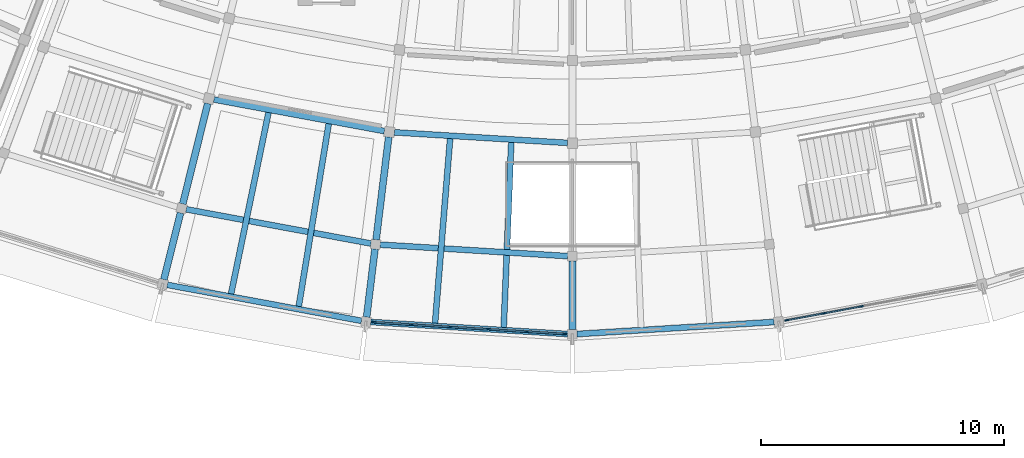
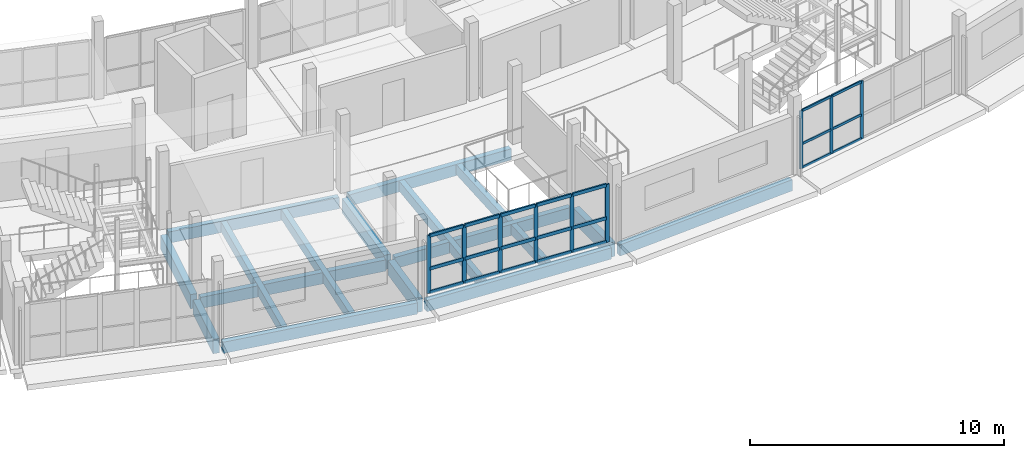
# One storey, part 21 of 66: 30 members, 16 beams, 2 elements without a shape of their own.
"""IFC4 building model written with IfcOpenShell, lengths in metres."""

import ifcopenshell
import ifcopenshell.guid

model = None  # the IFC model being written
_history = None  # IfcOwnerHistory: only IFC2X3 demands one
_inside = {}  # id of a spatial element -> (the spatial element, [elements in it])
_under = {}  # id of a project, library or spatial element -> (it, [spatial elements below it])
_declared = {}  # id of a project -> (the project, [libraries it declares])
_typed = {}  # id of a type object -> (the type object, [elements of that type])
_made_of = {}  # id of a material, layer set ... -> (it, [elements and type objects made of it])


def new_model(schema):
    """Start an empty IFC model of exactly this schema.

    Asked for "IFC4X3", IfcOpenShell would pick the latest addendum, in which some entities
    have other attributes; the version numbers below select the first issue.
    IFC2X3 requires an IfcOwnerHistory on every rooted entity: one is made here for all.
    """
    global model, _history
    if schema == "IFC4X3":
        model = ifcopenshell.file(schema_version=(4, 3, 0, 0))
    else:
        model = ifcopenshell.file(schema=schema)
    _inside.clear()
    _under.clear()
    _declared.clear()
    _typed.clear()
    _made_of.clear()
    _history = None
    if model.schema == "IFC2X3":
        org = make("IfcOrganization", Name="unknown")
        user = make(
            "IfcPersonAndOrganization",
            ThePerson=make("IfcPerson", FamilyName="unknown"),
            TheOrganization=org,
        )
        app = make(
            "IfcApplication",
            ApplicationDeveloper=org,
            Version="unknown",
            ApplicationFullName="unknown",
            ApplicationIdentifier="unknown",
        )
        _history = make(
            "IfcOwnerHistory",
            OwningUser=user,
            OwningApplication=app,
            ChangeAction="ADDED",
            CreationDate=0,
        )
    return model


def make(cls, **values):
    """One entity of the class cls with the attributes given. An attribute that is None is left unset."""
    return model.create_entity(
        cls, **{name: value for name, value in values.items() if value is not None}
    )


def rooted(cls, **values):
    """An entity with a GlobalId (a new one), such as an element, a storey or a relation."""
    return make(cls, GlobalId=ifcopenshell.guid.new(), OwnerHistory=_history, **values)


def si_unit(unit_type, name, prefix=None):
    """IfcSIUnit, for example si_unit("LENGTHUNIT", "METRE", prefix="MILLI")."""
    return make("IfcSIUnit", UnitType=unit_type, Prefix=prefix, Name=name)


def assignment(units):
    """IfcUnitAssignment: the units of a project."""
    return None if units is None else make("IfcUnitAssignment", Units=units)


def point(xyz):
    """IfcCartesianPoint."""
    return None if xyz is None else make("IfcCartesianPoint", Coordinates=xyz)


def direction(xyz):
    """IfcDirection."""
    return None if xyz is None else make("IfcDirection", DirectionRatios=xyz)


def frame(location, z_axis=None, x_axis=None):
    """IfcAxis2Placement3D, a coordinate frame: its origin and axes. An axis left out is left unset."""
    return make(
        "IfcAxis2Placement3D",
        Location=point(location),
        Axis=direction(z_axis),
        RefDirection=direction(x_axis),
    )


def frame_2d(location, x_axis=None):
    """IfcAxis2Placement2D, a coordinate frame in the plane: its origin and x axis."""
    return make(
        "IfcAxis2Placement2D", Location=point(location), RefDirection=direction(x_axis)
    )


def origin():
    """The frame at (0, 0, 0) with its axes left unset."""
    return frame((0.0, 0.0, 0.0))


def origin_2d():
    """The frame at (0, 0) in the plane with its x axis left unset."""
    return frame_2d((0.0, 0.0))


def place(relative_to, where):
    """IfcLocalPlacement: puts the frame where relative to a parent placement (None: the world)."""
    return make(
        "IfcLocalPlacement", PlacementRelTo=relative_to, RelativePlacement=where
    )


def context(
    kind, dimensions, precision=None, world=None, true_north=None, identifier=None
):
    """IfcGeometricRepresentationContext, for example the 3D "Model" context."""
    return make(
        "IfcGeometricRepresentationContext",
        ContextIdentifier=identifier,
        ContextType=kind,
        CoordinateSpaceDimension=dimensions,
        Precision=precision,
        WorldCoordinateSystem=world,
        TrueNorth=true_north,
    )


def subcontext(parent, identifier, kind, view, scale=None):
    """IfcGeometricRepresentationSubContext, for example "Body" below "Model"."""
    return make(
        "IfcGeometricRepresentationSubContext",
        ContextIdentifier=identifier,
        ContextType=kind,
        ParentContext=parent,
        TargetScale=scale,
        TargetView=view,
    )


def project(units=None, contexts=None):
    """IfcProject with its units and contexts."""
    return rooted(
        "IfcProject",
        Name="project",
        RepresentationContexts=contexts,
        UnitsInContext=assignment(units),
    )


def spatial(cls, under=None, at=None, **own):
    """A site, building, storey or space (cls), placed at a placement, below another one or the project."""
    s = rooted(cls, ObjectPlacement=at, **own)
    if under is not None:
        _under.setdefault(under.id(), (under, []))[1].append(s)
    return s


def profile(cls, at=None, kind="AREA", **sizes):
    """A parametric profile (cls). Its sizes go by their IFC names, for example OverallWidth=200.0."""
    return make(cls, ProfileType=kind, Position=at, **sizes)


def rectangle(**sizes):
    """IfcRectangleProfileDef."""
    return profile("IfcRectangleProfileDef", **sizes)


def extrude(swept, where, along, depth):
    """IfcExtrudedAreaSolid: the profile swept, set in the frame where, extruded along a direction by depth."""
    return make(
        "IfcExtrudedAreaSolid",
        SweptArea=swept,
        Position=where,
        ExtrudedDirection=direction(along),
        Depth=depth,
    )


def shape(context_of_items, identifier, shape_type, items):
    """IfcShapeRepresentation: the items that make up one representation, for example the "Body"."""
    return make(
        "IfcShapeRepresentation",
        ContextOfItems=context_of_items,
        RepresentationIdentifier=identifier,
        RepresentationType=shape_type,
        Items=items,
    )


def material(Name=None, Category=None):
    """IfcMaterial."""
    return make("IfcMaterial", Name=Name, Category=Category)


def layer(
    of_material, thickness, ventilated=None, Name=None, Category=None, Priority=None
):
    """IfcMaterialLayer: one layer of a wall or slab, of a material (None: an air gap)."""
    return make(
        "IfcMaterialLayer",
        Material=of_material,
        LayerThickness=thickness,
        IsVentilated=ventilated,
        Name=Name,
        Category=Category,
        Priority=Priority,
    )


def layer_set(layers, Name=None):
    """IfcMaterialLayerSet."""
    return make("IfcMaterialLayerSet", MaterialLayers=layers, LayerSetName=Name)


def material_profile(
    of_material, cross_section, Name=None, Category=None, Priority=None
):
    """IfcMaterialProfile: a cross section and its material."""
    return make(
        "IfcMaterialProfile",
        Name=Name,
        Material=of_material,
        Profile=cross_section,
        Priority=Priority,
        Category=Category,
    )


def profile_set(profiles, Name=None, composite=None):
    """IfcMaterialProfileSet."""
    return make(
        "IfcMaterialProfileSet",
        Name=Name,
        MaterialProfiles=profiles,
        CompositeProfile=composite,
    )


def made_of(thing, what):
    """Note that an element or type object is made of a material, layer set ...; save() writes the relation."""
    if what is not None:
        _made_of.setdefault(what.id(), (what, []))[1].append(thing)
    return thing


def type_object(cls, material=None, **own):
    """A type object (cls), such as IfcWallType, which elements share."""
    return made_of(rooted(cls, **own), material)


def element(
    cls,
    number,
    at=None,
    inside=None,
    cuts=None,
    type_object=None,
    material=None,
    context=None,
    identifier="Body",
    shape_type=None,
    held_by="IfcProductDefinitionShape",
    body=None,
    shapes=None,
    **own,
):
    """One element of the class cls, such as IfcWall. Its Tag is "e" and its number.

    at: its placement. inside: the storey or other place that contains it. cuts: it is an
    opening in that element (IfcRelVoidsElement). A single representation is given by context,
    identifier, shape_type and body (its items); several are given by shapes. held_by: the class
    of the entity that holds the representations. save() writes the other relations.
    """
    e = rooted(cls, Tag="e%d" % number, ObjectPlacement=at, **own)
    if body is not None:
        shapes = [shape(context, identifier, shape_type, body)]
    if shapes is not None:
        e.Representation = make(held_by, Representations=shapes)
    if inside is not None:
        _inside.setdefault(inside.id(), (inside, []))[1].append(e)
    if cuts is not None:
        rooted(
            "IfcRelVoidsElement", RelatingBuildingElement=cuts, RelatedOpeningElement=e
        )
    if type_object is not None:
        _typed.setdefault(type_object.id(), (type_object, []))[1].append(e)
    return made_of(e, material)


def aggregate(whole, parts):
    """IfcRelAggregates: a whole, such as a stair, and the parts it consists of."""
    return rooted("IfcRelAggregates", RelatingObject=whole, RelatedObjects=parts)


def save(model, path):
    """Write the relations noted so far, then the file.

    IfcRelAggregates (storeys below a building ...), IfcRelContainedInSpatialStructure (elements
    in a storey), IfcRelDefinesByType, IfcRelAssociatesMaterial and IfcRelDeclares: one each for
    every whole, place, type object, material and project.
    """
    for whole, parts in _under.values():
        aggregate(whole, parts)
    for where, things in _inside.values():
        rooted(
            "IfcRelContainedInSpatialStructure",
            RelatedElements=things,
            RelatingStructure=where,
        )
    for kind, things in _typed.values():
        rooted("IfcRelDefinesByType", RelatedObjects=things, RelatingType=kind)
    for what, things in _made_of.values():
        rooted("IfcRelAssociatesMaterial", RelatedObjects=things, RelatingMaterial=what)
    for by, libraries in _declared.values():
        rooted("IfcRelDeclares", RelatingContext=by, RelatedDefinitions=libraries)
    model.write(path)


model = new_model("IFC4")

# Units and contexts
model_context = context("Model", 3, precision=1e-05, world=origin(), true_north=direction((0.0, 1.0)))
body_context = subcontext(model_context, "Body", "Model", "MODEL_VIEW")
ifc_project = project(units=[si_unit("LENGTHUNIT", "METRE"), si_unit("AREAUNIT", "SQUARE_METRE"), si_unit("VOLUMEUNIT", "CUBIC_METRE"), si_unit("PLANEANGLEUNIT", "RADIAN"), si_unit("MASSUNIT", "GRAM", prefix="KILO")], contexts=[model_context])

# Site, building, storey
site_placement = place(None, origin())
site = spatial("IfcSite", under=ifc_project, at=site_placement, CompositionType="ELEMENT")
building_placement = place(site_placement, origin())
building = spatial("IfcBuilding", under=site, at=building_placement, Name="Caldaven Crescent School", CompositionType="ELEMENT")
storey_placement = place(building_placement, frame((0.0, 0.0, 8.159912109375)))
storey = spatial("IfcBuildingStorey", under=building, at=storey_placement, Name="L02", CompositionType="ELEMENT", Elevation=8.159912109375)

# Beams
ifc_material_1 = material(Name="Glulam MLE24h (GL28h)", Category="wood")
ifc_material_profile_1 = material_profile(ifc_material_1, rectangle(XDim=0.239990234375, YDim=0.5400390625, at=origin_2d()), Name="MLE 240x540")
ifc_profile_set_1 = profile_set([ifc_material_profile_1], Name="Glulam MLE24h (GL28h)")
beam_type_1 = type_object("IfcBeamType", Name="BM-GL54", PredefinedType="BEAM", material=ifc_profile_set_1)
beam_1_placement = place(storey_placement, frame((73.27490234375, 36.095458984375, -0.52001953125), z_axis=(0.983256085787, -0.182229168257, 0.0), x_axis=(0.182229168257, 0.983256085787, 0.0)))
element("IfcBeam", 1, at=beam_1_placement, inside=storey, type_object=beam_type_1, Name="BMT-V5-L02-1237", PredefinedType="BEAM", context=body_context, shape_type="SweptSolid", body=[
    extrude(rectangle(XDim=0.239990234375, YDim=0.5400390625, at=origin_2d()), origin(), (0.0, 0.0, 1.0), 7.12353515625),
])
beam_2_placement = place(storey_placement, frame((72.13525390625, 31.586181640625, -0.52001953125), z_axis=(0.983256623926, -0.18222626459, 0.0), x_axis=(0.18222626459, 0.983256623926, 0.0)))
element("IfcBeam", 2, at=beam_2_placement, inside=storey, type_object=beam_type_1, Name="BMT-V5-L02-1238", PredefinedType="BEAM", context=body_context, shape_type="SweptSolid", body=[
    extrude(rectangle(XDim=0.239990234375, YDim=0.5400390625, at=origin_2d()), origin(), (0.0, 0.0, 1.0), 7.72119140625),
])
beam_3_placement = place(storey_placement, frame((80.685302734375, 34.747314453125, -0.52001953125), z_axis=(0.998135297493, -0.061040379248, 0.0), x_axis=(0.061040379248, 0.998135297493, 0.0)))
element("IfcBeam", 3, at=beam_3_placement, inside=storey, type_object=beam_type_1, Name="BMT-V5-L02-1244", PredefinedType="BEAM", context=body_context, shape_type="SweptSolid", body=[
    extrude(rectangle(XDim=0.239990234375, YDim=0.5400390625, at=origin_2d()), origin(), (0.0, 0.0, 1.0), 7.123291015625),
])
beam_4_placement = place(storey_placement, frame((80.103515625, 30.133056640625, -0.52001953125), z_axis=(0.998134259729, -0.061057346455, 0.0), x_axis=(0.061057346455, 0.998134259729, 0.0)))
element("IfcBeam", 4, at=beam_4_placement, inside=storey, type_object=beam_type_1, Name="BMT-V5-L02-1245", PredefinedType="BEAM", context=body_context, shape_type="SweptSolid", body=[
    extrude(rectangle(XDim=0.239990234375, YDim=0.5400390625, at=origin_2d()), origin(), (0.0, 0.0, 1.0), 7.72119140625),
])
ifc_material_profile_2 = material_profile(ifc_material_1, rectangle(XDim=0.280029296875, YDim=0.68994140625, at=origin_2d()), Name="MLE 280x690")
ifc_profile_set_2 = profile_set([ifc_material_profile_2], Name="Glulam MLE24h (GL28h)")
beam_type_2 = type_object("IfcBeamType", Name="BM-GL69", PredefinedType="BEAM", material=ifc_profile_set_2)
beam_5_placement = place(storey_placement, frame((73.02392578125, 35.933837890625, -0.594970703125), z_axis=(-0.24195507035, -0.970287454279, 0.0), x_axis=(0.970287454279, -0.24195507035, 0.0)))
element("IfcBeam", 5, at=beam_5_placement, inside=storey, type_object=beam_type_2, Name="BMR-V5-L02-1206", PredefinedType="BEAM", context=body_context, shape_type="SweptSolid", body=[
    extrude(rectangle(XDim=0.280029296875, YDim=0.68994140625, at=origin_2d()), origin(), (0.0, 0.0, 1.0), 4.255126953125),
])
beam_6_placement = place(storey_placement, frame((71.902587890625, 31.4365234375, -0.594970703125), z_axis=(-0.241965234679, -0.970284919602, 0.0), x_axis=(0.970284919602, -0.241965234679, 0.0)))
element("IfcBeam", 6, at=beam_6_placement, inside=storey, type_object=beam_type_2, Name="BMR-V5-L02-1207", PredefinedType="BEAM", context=body_context, shape_type="SweptSolid", body=[
    extrude(rectangle(XDim=0.280029296875, YDim=0.68994140625, at=origin_2d()), origin(), (0.0, 0.0, 1.0), 2.820068359375),
])
beam_7_placement = place(storey_placement, frame((80.45556640625, 34.556396484375, -0.594970703125), z_axis=(-0.121873450968, -0.992545647287, 0.0), x_axis=(0.992545647287, -0.121873450968, 0.0)))
element("IfcBeam", 7, at=beam_7_placement, inside=storey, type_object=beam_type_2, Name="BMR-V5-L02-1210", PredefinedType="BEAM", context=body_context, shape_type="SweptSolid", body=[
    extrude(rectangle(XDim=0.280029296875, YDim=0.68994140625, at=origin_2d()), origin(), (0.0, 0.0, 1.0), 4.2548828125),
])
for number, where, z_axis, x_axis, name in (
    (8, (79.890869140625, 29.9560546875, -0.594970703125), (-0.121892797759, -0.992543271527, 0.0), (0.992543271527, -0.121892797759, 0.0), "BMR-V5-L02-1211"),
    (9, (88.0, 29.4599609375, -0.594970703125), (0.0, -1.0, 0.0), (1.0, 0.0, 0.0), "BMR-V5-L02-1215"),
):
    element("IfcBeam", number, at=place(storey_placement, frame(where, z_axis=z_axis, x_axis=x_axis)), inside=storey, type_object=beam_type_2, Name=name, PredefinedType="BEAM", context=body_context, shape_type="SweptSolid", body=[
        extrude(rectangle(XDim=0.280029296875, YDim=0.68994140625, at=origin_2d()), origin(), (0.0, 0.0, 1.0), 2.820068359375),
    ])

# Curtain wall, members
ifc_material_2 = material(Name="Anodised aluminium AA 6063-T6 and low-E double glazing", Category="aluminium")
ifc_layer_1 = layer(ifc_material_2, 0.169921875)
ifc_layer_set_1 = layer_set([ifc_layer_1], Name="Anodised aluminium AA 6063-T6 and low-E double glazing")
curtain_wall_type_1 = type_object("IfcCurtainWallType", Name="CW-SYS1", PredefinedType="NOTDEFINED", material=ifc_layer_set_1)
curtain_wall_1_placement = place(storey_placement, origin())
curtain_wall_1 = element("IfcCurtainWall", 10, at=curtain_wall_1_placement, inside=storey, type_object=curtain_wall_type_1, Name="CW-L02-147", PredefinedType="NOTDEFINED")
ifc_material_3 = material(Name="Anodised aluminium AA 6063-T6", Category="aluminium")
ifc_material_profile_3 = material_profile(ifc_material_3, rectangle(XDim=0.06005859375, YDim=0.14990234375, at=origin_2d()), Name="CWM 60x150")
ifc_profile_set_3 = profile_set([ifc_material_profile_3], Name="Anodised aluminium AA 6063-T6")
member_type_1 = type_object("IfcMemberType", Name="CWM-T1", PredefinedType="MULLION", material=ifc_profile_set_3)
member_1_placement = place(storey_placement, frame((96.800537109375, 27.028564453125, 0.0), z_axis=(0.0, 0.0, 1.0), x_axis=(-0.182234865564, 0.983255029874, 0.0)))
member_1 = element("IfcMember", 11, at=member_1_placement, type_object=member_type_1, Name="CW1 mullion 1", PredefinedType="MULLION", context=body_context, shape_type="SweptSolid", body=[
    extrude(rectangle(XDim=0.06005859375, YDim=0.14990234375, at=origin_2d()), origin(), (0.0, 0.0, 1.0), 2.780029296875),
])
member_2_placement = place(storey_placement, frame((98.322998046875, 27.310791015625, 0.0), z_axis=(0.0, 0.0, 1.0), x_axis=(-0.182234865564, 0.983255029874, 0.0)))
member_2 = element("IfcMember", 12, at=member_2_placement, type_object=member_type_1, Name="CW1 mullion 2", PredefinedType="MULLION", context=body_context, shape_type="SweptSolid", body=[
    extrude(rectangle(XDim=0.06005859375, YDim=0.14990234375, at=origin_2d()), origin(), (0.0, 0.0, 1.0), 2.780029296875),
])
member_3_placement = place(storey_placement, frame((99.874755859375, 27.598388671875, 0.0), z_axis=(0.0, 0.0, 1.0), x_axis=(-0.182234865564, 0.983255029874, 0.0)))
member_3 = element("IfcMember", 13, at=member_3_placement, type_object=member_type_1, Name="CW1 mullion 3", PredefinedType="MULLION", context=body_context, shape_type="SweptSolid", body=[
    extrude(rectangle(XDim=0.06005859375, YDim=0.14990234375, at=origin_2d()), origin(), (0.0, 0.0, 1.0), 2.780029296875),
])

ifc_layer_2 = layer(ifc_material_2, 0.2099609375)
ifc_layer_set_2 = layer_set([ifc_layer_2], Name="Anodised aluminium AA 6063-T6 and low-E double glazing")
curtain_wall_type_2 = type_object("IfcCurtainWallType", Name="CW-SYS3", PredefinedType="NOTDEFINED", material=ifc_layer_set_2)
curtain_wall_2_placement = place(storey_placement, origin())
curtain_wall_2 = element("IfcCurtainWall", 14, at=curtain_wall_2_placement, inside=storey, type_object=curtain_wall_type_2, Name="CW-L02-144", PredefinedType="NOTDEFINED")
ifc_material_profile_4 = material_profile(ifc_material_3, rectangle(XDim=0.06494140625, YDim=0.179931640625, at=origin_2d()), Name="CWM 65x180")
ifc_profile_set_4 = profile_set([ifc_material_profile_4], Name="Anodised aluminium AA 6063-T6")
member_type_2 = type_object("IfcMemberType", Name="CWM-T2", PredefinedType="MULLION", material=ifc_profile_set_4)
member_4_placement = place(storey_placement, frame((79.85595703125, 26.947998046875, 0.0), z_axis=(0.0, 0.0, 1.0), x_axis=(0.061049055851, 0.998134766843, 0.0)))
member_4 = element("IfcMember", 15, at=member_4_placement, type_object=member_type_2, Name="CW3 mullion 1", PredefinedType="MULLION", context=body_context, shape_type="SweptSolid", body=[
    extrude(rectangle(XDim=0.06494140625, YDim=0.179931640625, at=origin_2d()), origin(), (0.0, 0.0, 1.0), 2.780029296875),
])
member_5_placement = place(storey_placement, frame((81.39892578125, 26.853759765625, 0.0), z_axis=(0.0, 0.0, 1.0), x_axis=(0.061049055851, 0.998134766843, 0.0)))
member_5 = element("IfcMember", 16, at=member_5_placement, type_object=member_type_2, Name="CW3 mullion 2", PredefinedType="MULLION", context=body_context, shape_type="SweptSolid", body=[
    extrude(rectangle(XDim=0.06494140625, YDim=0.179931640625, at=origin_2d()), origin(), (0.0, 0.0, 1.0), 2.780029296875),
])
member_6_placement = place(storey_placement, frame((82.974365234375, 26.75732421875, 0.0), z_axis=(0.0, 0.0, 1.0), x_axis=(0.061049055851, 0.998134766843, 0.0)))
member_6 = element("IfcMember", 17, at=member_6_placement, type_object=member_type_2, Name="CW3 mullion 3", PredefinedType="MULLION", context=body_context, shape_type="SweptSolid", body=[
    extrude(rectangle(XDim=0.06494140625, YDim=0.179931640625, at=origin_2d()), origin(), (0.0, 0.0, 1.0), 2.780029296875),
])
member_7_placement = place(storey_placement, frame((84.5498046875, 26.6611328125, 0.0), z_axis=(0.0, 0.0, 1.0), x_axis=(0.061049055851, 0.998134766843, 0.0)))
member_7 = element("IfcMember", 18, at=member_7_placement, type_object=member_type_2, Name="CW3 mullion 4", PredefinedType="MULLION", context=body_context, shape_type="SweptSolid", body=[
    extrude(rectangle(XDim=0.06494140625, YDim=0.179931640625, at=origin_2d()), origin(), (0.0, 0.0, 1.0), 2.780029296875),
])
member_8_placement = place(storey_placement, frame((86.125244140625, 26.564697265625, 0.0), z_axis=(0.0, 0.0, 1.0), x_axis=(0.061049055851, 0.998134766843, 0.0)))
member_8 = element("IfcMember", 19, at=member_8_placement, type_object=member_type_2, Name="CW3 mullion 5", PredefinedType="MULLION", context=body_context, shape_type="SweptSolid", body=[
    extrude(rectangle(XDim=0.06494140625, YDim=0.179931640625, at=origin_2d()), origin(), (0.0, 0.0, 1.0), 2.780029296875),
])
member_9_placement = place(storey_placement, frame((87.668212890625, 26.47021484375, 0.0), z_axis=(0.0, 0.0, 1.0), x_axis=(0.061049055851, 0.998134766843, 0.0)))
member_9 = element("IfcMember", 20, at=member_9_placement, type_object=member_type_2, Name="CW3 mullion 6", PredefinedType="MULLION", context=body_context, shape_type="SweptSolid", body=[
    extrude(rectangle(XDim=0.06494140625, YDim=0.179931640625, at=origin_2d()), origin(), (0.0, 0.0, 1.0), 2.780029296875),
])

# Member
ifc_material_profile_5 = material_profile(ifc_material_3, rectangle(XDim=0.06005859375, YDim=0.1201171875, at=origin_2d()), Name="CWT 60x120")
ifc_profile_set_5 = profile_set([ifc_material_profile_5], Name="Anodised aluminium AA 6063-T6")
member_type_3 = type_object("IfcMemberType", Name="CWT-T1", PredefinedType="USERDEFINED", material=ifc_profile_set_5)
member_10_placement = place(storey_placement, frame((96.830078125, 27.033935546875, 0.030029296875), z_axis=(0.98325262173, 0.182247858315, 0.0), x_axis=(-0.182247858315, 0.98325262173, 0.0)))
member_10 = element("IfcMember", 21, at=member_10_placement, type_object=member_type_3, Name="CW1 transom 1.1", ObjectType="TRANSOM", PredefinedType="USERDEFINED", context=body_context, shape_type="SweptSolid", body=[
    extrude(rectangle(XDim=0.06005859375, YDim=0.1201171875, at=origin_2d()), origin(), (0.0, 0.0, 1.0), 1.48828125),
])

member_11_placement = place(storey_placement, frame((96.830078125, 27.033935546875, 1.16796875), z_axis=(0.98325262173, 0.182247858315, 0.0), x_axis=(-0.182247858315, 0.98325262173, 0.0)))
member_11 = element("IfcMember", 22, at=member_11_placement, type_object=member_type_3, Name="CW1 transom 1.2", ObjectType="TRANSOM", PredefinedType="USERDEFINED", context=body_context, shape_type="SweptSolid", body=[
    extrude(rectangle(XDim=0.06005859375, YDim=0.1201171875, at=origin_2d()), origin(), (0.0, 0.0, 1.0), 1.48828125),
])

member_12_placement = place(storey_placement, frame((96.830078125, 27.033935546875, 2.75), z_axis=(0.98325262173, 0.182247858315, 0.0), x_axis=(-0.182247858315, 0.98325262173, 0.0)))
member_12 = element("IfcMember", 23, at=member_12_placement, type_object=member_type_3, Name="CW1 transom 1.3", ObjectType="TRANSOM", PredefinedType="USERDEFINED", context=body_context, shape_type="SweptSolid", body=[
    extrude(rectangle(XDim=0.06005859375, YDim=0.1201171875, at=origin_2d()), origin(), (0.0, 0.0, 1.0), 1.48828125),
])

member_13_placement = place(storey_placement, frame((98.3525390625, 27.316162109375, 0.030029296875), z_axis=(0.98326494013, 0.182181386291, 0.0), x_axis=(-0.182181386291, 0.98326494013, 0.0)))
member_13 = element("IfcMember", 24, at=member_13_placement, type_object=member_type_3, Name="CW1 transom 2.1", ObjectType="TRANSOM", PredefinedType="USERDEFINED", context=body_context, shape_type="SweptSolid", body=[
    extrude(rectangle(XDim=0.06005859375, YDim=0.1201171875, at=origin_2d()), origin(), (0.0, 0.0, 1.0), 1.518310546875),
])

member_14_placement = place(storey_placement, frame((98.3525390625, 27.316162109375, 1.16796875), z_axis=(0.98326494013, 0.182181386291, 0.0), x_axis=(-0.182181386291, 0.98326494013, 0.0)))
member_14 = element("IfcMember", 25, at=member_14_placement, type_object=member_type_3, Name="CW1 transom 2.2", ObjectType="TRANSOM", PredefinedType="USERDEFINED", context=body_context, shape_type="SweptSolid", body=[
    extrude(rectangle(XDim=0.06005859375, YDim=0.1201171875, at=origin_2d()), origin(), (0.0, 0.0, 1.0), 1.518310546875),
])

member_15_placement = place(storey_placement, frame((98.3525390625, 27.316162109375, 2.75), z_axis=(0.98326494013, 0.182181386291, 0.0), x_axis=(-0.182181386291, 0.98326494013, 0.0)))
member_15 = element("IfcMember", 26, at=member_15_placement, type_object=member_type_3, Name="CW1 transom 2.3", ObjectType="TRANSOM", PredefinedType="USERDEFINED", context=body_context, shape_type="SweptSolid", body=[
    extrude(rectangle(XDim=0.06005859375, YDim=0.1201171875, at=origin_2d()), origin(), (0.0, 0.0, 1.0), 1.518310546875),
])

aggregate(curtain_wall_1, [member_1, member_2, member_3, member_10, member_11, member_12, member_13, member_14, member_15])

ifc_material_profile_6 = material_profile(ifc_material_3, rectangle(XDim=0.070068359375, YDim=0.159912109375, at=origin_2d()), Name="CWT 70x160")
ifc_profile_set_6 = profile_set([ifc_material_profile_6], Name="Anodised aluminium AA 6063-T6")
member_type_4 = type_object("IfcMemberType", Name="CWT-T3", PredefinedType="USERDEFINED", material=ifc_profile_set_6)
member_16_placement = place(storey_placement, frame((79.888427734375, 26.946044921875, 0.03515625), z_axis=(0.998137595333, -0.06100279324, 0.0), x_axis=(0.06100279324, 0.998137595333, 0.0)))
member_16 = element("IfcMember", 27, at=member_16_placement, type_object=member_type_4, Name="CW3 transom 1.1", ObjectType="TRANSOM", PredefinedType="USERDEFINED", context=body_context, shape_type="SweptSolid", body=[
    extrude(rectangle(XDim=0.070068359375, YDim=0.159912109375, at=origin_2d()), origin(), (0.0, 0.0, 1.0), 1.480712890625),
])

member_17_placement = place(storey_placement, frame((79.888427734375, 26.946044921875, 1.16796875), z_axis=(0.998137595333, -0.06100279324, 0.0), x_axis=(0.06100279324, 0.998137595333, 0.0)))
member_17 = element("IfcMember", 28, at=member_17_placement, type_object=member_type_4, Name="CW3 transom 1.2", ObjectType="TRANSOM", PredefinedType="USERDEFINED", context=body_context, shape_type="SweptSolid", body=[
    extrude(rectangle(XDim=0.070068359375, YDim=0.159912109375, at=origin_2d()), origin(), (0.0, 0.0, 1.0), 1.480712890625),
])

member_18_placement = place(storey_placement, frame((79.888427734375, 26.946044921875, 2.7451171875), z_axis=(0.998137595333, -0.06100279324, 0.0), x_axis=(0.06100279324, 0.998137595333, 0.0)))
member_18 = element("IfcMember", 29, at=member_18_placement, type_object=member_type_4, Name="CW3 transom 1.3", ObjectType="TRANSOM", PredefinedType="USERDEFINED", context=body_context, shape_type="SweptSolid", body=[
    extrude(rectangle(XDim=0.070068359375, YDim=0.159912109375, at=origin_2d()), origin(), (0.0, 0.0, 1.0), 1.480712890625),
])

member_19_placement = place(storey_placement, frame((81.431396484375, 26.851806640625, 0.03515625), z_axis=(0.998129024809, -0.061142864135, 0.0), x_axis=(0.061142864135, 0.998129024809, 0.0)))
member_19 = element("IfcMember", 30, at=member_19_placement, type_object=member_type_4, Name="CW3 transom 2.1", ObjectType="TRANSOM", PredefinedType="USERDEFINED", context=body_context, shape_type="SweptSolid", body=[
    extrude(rectangle(XDim=0.070068359375, YDim=0.159912109375, at=origin_2d()), origin(), (0.0, 0.0, 1.0), 1.513427734375),
])

member_20_placement = place(storey_placement, frame((81.431396484375, 26.851806640625, 1.16796875), z_axis=(0.998129024809, -0.061142864135, 0.0), x_axis=(0.061142864135, 0.998129024809, 0.0)))
member_20 = element("IfcMember", 31, at=member_20_placement, type_object=member_type_4, Name="CW3 transom 2.2", ObjectType="TRANSOM", PredefinedType="USERDEFINED", context=body_context, shape_type="SweptSolid", body=[
    extrude(rectangle(XDim=0.070068359375, YDim=0.159912109375, at=origin_2d()), origin(), (0.0, 0.0, 1.0), 1.513427734375),
])

member_21_placement = place(storey_placement, frame((81.431396484375, 26.851806640625, 2.7451171875), z_axis=(0.998129024809, -0.061142864135, 0.0), x_axis=(0.061142864135, 0.998129024809, 0.0)))
member_21 = element("IfcMember", 32, at=member_21_placement, type_object=member_type_4, Name="CW3 transom 2.3", ObjectType="TRANSOM", PredefinedType="USERDEFINED", context=body_context, shape_type="SweptSolid", body=[
    extrude(rectangle(XDim=0.070068359375, YDim=0.159912109375, at=origin_2d()), origin(), (0.0, 0.0, 1.0), 1.513427734375),
])

member_22_placement = place(storey_placement, frame((83.0068359375, 26.75537109375, 0.03515625), z_axis=(0.998138857494, -0.060982138053, 0.0), x_axis=(0.060982138053, 0.998138857494, 0.0)))
member_22 = element("IfcMember", 33, at=member_22_placement, type_object=member_type_4, Name="CW3 transom 3.1", ObjectType="TRANSOM", PredefinedType="USERDEFINED", context=body_context, shape_type="SweptSolid", body=[
    extrude(rectangle(XDim=0.070068359375, YDim=0.159912109375, at=origin_2d()), origin(), (0.0, 0.0, 1.0), 1.513427734375),
])

member_23_placement = place(storey_placement, frame((83.0068359375, 26.75537109375, 1.16796875), z_axis=(0.998138857494, -0.060982138053, 0.0), x_axis=(0.060982138053, 0.998138857494, 0.0)))
member_23 = element("IfcMember", 34, at=member_23_placement, type_object=member_type_4, Name="CW3 transom 3.2", ObjectType="TRANSOM", PredefinedType="USERDEFINED", context=body_context, shape_type="SweptSolid", body=[
    extrude(rectangle(XDim=0.070068359375, YDim=0.159912109375, at=origin_2d()), origin(), (0.0, 0.0, 1.0), 1.513427734375),
])

member_24_placement = place(storey_placement, frame((83.0068359375, 26.75537109375, 2.7451171875), z_axis=(0.998138857494, -0.060982138053, 0.0), x_axis=(0.060982138053, 0.998138857494, 0.0)))
member_24 = element("IfcMember", 35, at=member_24_placement, type_object=member_type_4, Name="CW3 transom 3.3", ObjectType="TRANSOM", PredefinedType="USERDEFINED", context=body_context, shape_type="SweptSolid", body=[
    extrude(rectangle(XDim=0.070068359375, YDim=0.159912109375, at=origin_2d()), origin(), (0.0, 0.0, 1.0), 1.513427734375),
])

member_25_placement = place(storey_placement, frame((84.58203125, 26.658935546875, 0.03515625), z_axis=(0.9981394573, -0.06097231979, 0.0), x_axis=(0.06097231979, 0.9981394573, 0.0)))
member_25 = element("IfcMember", 36, at=member_25_placement, type_object=member_type_4, Name="CW3 transom 4.1", ObjectType="TRANSOM", PredefinedType="USERDEFINED", context=body_context, shape_type="SweptSolid", body=[
    extrude(rectangle(XDim=0.070068359375, YDim=0.159912109375, at=origin_2d()), origin(), (0.0, 0.0, 1.0), 1.513671875),
])

member_26_placement = place(storey_placement, frame((84.58203125, 26.658935546875, 1.16796875), z_axis=(0.9981394573, -0.06097231979, 0.0), x_axis=(0.06097231979, 0.9981394573, 0.0)))
member_26 = element("IfcMember", 37, at=member_26_placement, type_object=member_type_4, Name="CW3 transom 4.2", ObjectType="TRANSOM", PredefinedType="USERDEFINED", context=body_context, shape_type="SweptSolid", body=[
    extrude(rectangle(XDim=0.070068359375, YDim=0.159912109375, at=origin_2d()), origin(), (0.0, 0.0, 1.0), 1.513671875),
])

member_27_placement = place(storey_placement, frame((84.58203125, 26.658935546875, 2.7451171875), z_axis=(0.9981394573, -0.06097231979, 0.0), x_axis=(0.06097231979, 0.9981394573, 0.0)))
member_27 = element("IfcMember", 38, at=member_27_placement, type_object=member_type_4, Name="CW3 transom 4.3", ObjectType="TRANSOM", PredefinedType="USERDEFINED", context=body_context, shape_type="SweptSolid", body=[
    extrude(rectangle(XDim=0.070068359375, YDim=0.159912109375, at=origin_2d()), origin(), (0.0, 0.0, 1.0), 1.513671875),
])

member_28_placement = place(storey_placement, frame((86.157470703125, 26.562744140625, 0.03515625), z_axis=(0.998128159669, -0.061156985506, 0.0), x_axis=(0.061156985506, 0.998128159669, 0.0)))
member_28 = element("IfcMember", 39, at=member_28_placement, type_object=member_type_4, Name="CW3 transom 5.1", ObjectType="TRANSOM", PredefinedType="USERDEFINED", context=body_context, shape_type="SweptSolid", body=[
    extrude(rectangle(XDim=0.070068359375, YDim=0.159912109375, at=origin_2d()), origin(), (0.0, 0.0, 1.0), 1.48095703125),
])

member_29_placement = place(storey_placement, frame((86.157470703125, 26.562744140625, 1.16796875), z_axis=(0.998128159669, -0.061156985506, 0.0), x_axis=(0.061156985506, 0.998128159669, 0.0)))
member_29 = element("IfcMember", 40, at=member_29_placement, type_object=member_type_4, Name="CW3 transom 5.2", ObjectType="TRANSOM", PredefinedType="USERDEFINED", context=body_context, shape_type="SweptSolid", body=[
    extrude(rectangle(XDim=0.070068359375, YDim=0.159912109375, at=origin_2d()), origin(), (0.0, 0.0, 1.0), 1.48095703125),
])

member_30_placement = place(storey_placement, frame((86.157470703125, 26.562744140625, 2.7451171875), z_axis=(0.998128159669, -0.061156985506, 0.0), x_axis=(0.061156985506, 0.998128159669, 0.0)))
member_30 = element("IfcMember", 41, at=member_30_placement, type_object=member_type_4, Name="CW3 transom 5.3", ObjectType="TRANSOM", PredefinedType="USERDEFINED", context=body_context, shape_type="SweptSolid", body=[
    extrude(rectangle(XDim=0.070068359375, YDim=0.159912109375, at=origin_2d()), origin(), (0.0, 0.0, 1.0), 1.48095703125),
])

aggregate(curtain_wall_2, [member_4, member_5, member_6, member_7, member_8, member_9, member_16, member_17, member_18, member_19, member_20, member_21, member_22, member_23, member_24, member_25, member_26, member_27, member_28, member_29, member_30])

# Beams
ifc_material_profile_7 = material_profile(ifc_material_1, rectangle(XDim=0.239990234375, YDim=0.47998046875, at=origin_2d()), Name="MLE 240x480")
ifc_profile_set_7 = profile_set([ifc_material_profile_7], Name="Glulam MLE24h (GL28h)")
beam_type_3 = type_object("IfcBeamType", Name="JS-GL48", PredefinedType="JOIST", material=ifc_profile_set_7)
for number, where, z_axis, x_axis, name in (
    (42, (75.519287109375, 35.5625, -0.489990234375), (-0.202259614747, -0.979331939764, 0.0), (0.979331939764, -0.202259614747, 0.0), "JSR-V5-L02-1240"),
    (43, (77.992919921875, 35.10400390625, -0.489990234375), (-0.162139819629, -0.986767793805, 0.0), (0.986767793805, -0.162139819629, 0.0), "JSR-V5-L02-1241"),
    (44, (82.977783203125, 34.491943359375, -0.489990234375), (-0.081390637837, -0.996682278398, 0.0), (0.996682278398, -0.081390637837, 0.0), "JSR-V5-L02-1248"),
    (45, (85.48876953125, 34.33837890625, -0.489990234375), (-0.040664012435, -0.99917287698, 0.0), (0.99917287698, -0.040664012435, 0.0), "JSR-V5-L02-1250"),
):
    element("IfcBeam", number, at=place(storey_placement, frame(where, z_axis=z_axis, x_axis=x_axis)), inside=storey, type_object=beam_type_3, Name=name, PredefinedType="JOIST", context=body_context, shape_type="SweptSolid", body=[
        extrude(rectangle(XDim=0.239990234375, YDim=0.47998046875, at=origin_2d()), origin(), (0.0, 0.0, 1.0), 7.60693359375),
    ])
ifc_material_profile_8 = material_profile(ifc_material_1, rectangle(XDim=0.239990234375, YDim=0.5400390625, at=origin_2d()), Name="MLE 240x540")
ifc_profile_set_8 = profile_set([ifc_material_profile_8], Name="Glulam MLE24h (GL28h)")
beam_type_4 = type_object("IfcBeamType", Name="SP-GL54", PredefinedType="SPANDREL", material=ifc_profile_set_8)
for number, where, z_axis, x_axis, name in (
    (46, (71.361083984375, 28.481201171875, -0.52001953125), (0.983255051002, -0.182234751571, 0.0), (0.182234751571, 0.983255051002, 0.0), "BMT-V5-L02-1239"),
    (47, (79.713623046875, 26.956787109375, -0.52001953125), (0.998135526675, -0.061036631531, 0.0), (0.061036631531, 0.998135526675, 0.0), "BMT-V5-L02-1246"),
    (48, (88.189697265625, 26.461669921875, -0.52001953125), (0.998135526675, 0.061036631531, 0.0), (-0.061036631531, 0.998135526675, 0.0), "BMT-V5-L02-1255"),
):
    element("IfcBeam", number, at=place(storey_placement, frame(where, z_axis=z_axis, x_axis=x_axis)), inside=storey, type_object=beam_type_4, Name=name, PredefinedType="SPANDREL", context=body_context, shape_type="SweptSolid", body=[
        extrude(rectangle(XDim=0.239990234375, YDim=0.5400390625, at=origin_2d()), origin(), (0.0, 0.0, 1.0), 8.11181640625),
    ])

save(model, "model.ifc")
